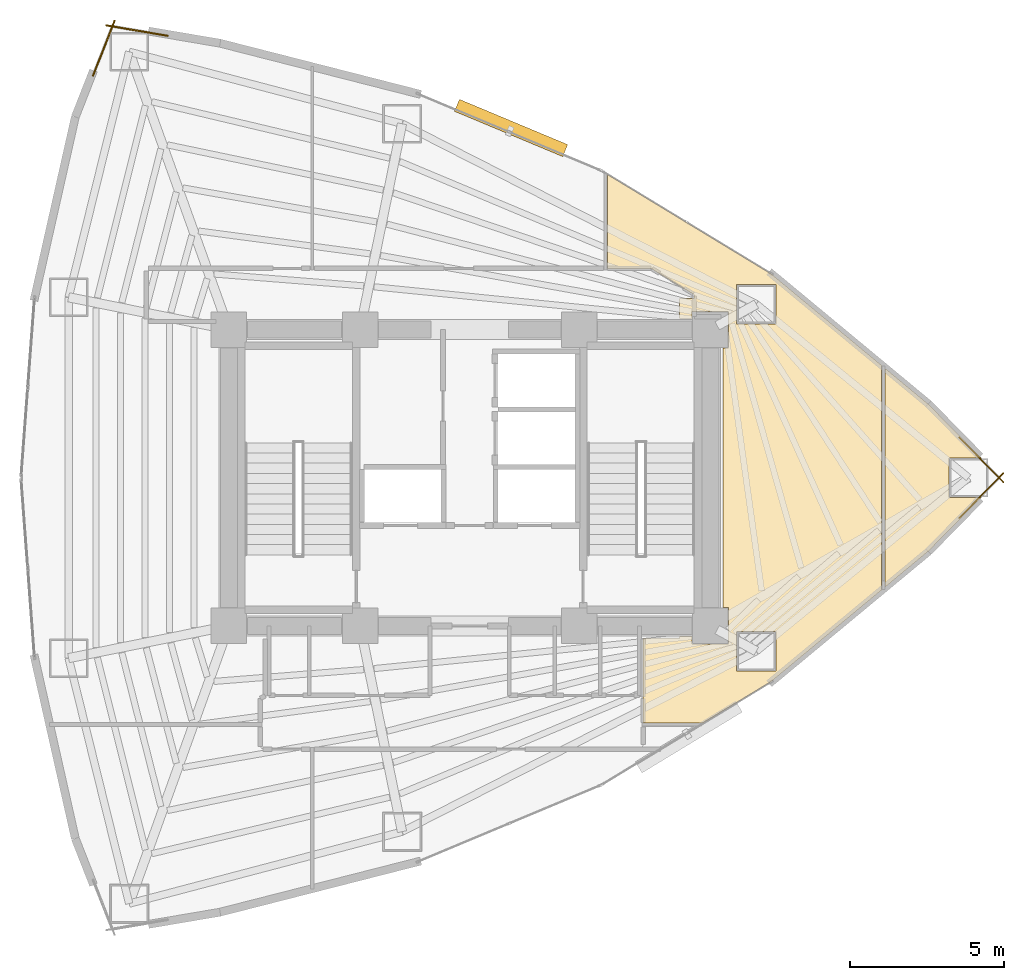
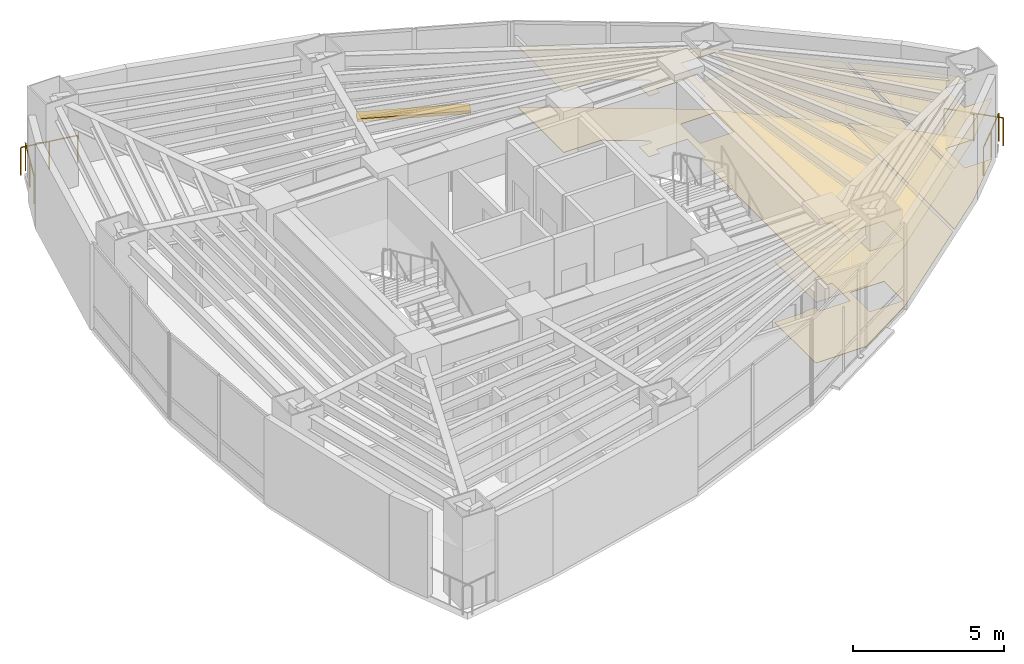
# One storey, part 18 of 18: 4 coverings, 4 railings, 1 shading device.
"""IFC4 building model written with IfcOpenShell, lengths in metres."""

from ifc_helpers import new_model, si_unit, direction, frame, origin, origin_2d, place, context, subcontext, project, spatial, polyline, rectangle, circle, outline, extrude, material, layer, layer_set, type_object, element, save


model = new_model("IFC4")

# Units and contexts
model_context = context("Model", 3, precision=1e-05, world=origin(), true_north=direction((0.0, 1.0)))
body_context = subcontext(model_context, "Body", "Model", "MODEL_VIEW")
ifc_project = project(units=[si_unit("LENGTHUNIT", "METRE"), si_unit("AREAUNIT", "SQUARE_METRE"), si_unit("VOLUMEUNIT", "CUBIC_METRE"), si_unit("PLANEANGLEUNIT", "RADIAN"), si_unit("MASSUNIT", "GRAM", prefix="KILO")], contexts=[model_context])

# Site, building, storey
site_placement = place(None, origin())
site = spatial("IfcSite", under=ifc_project, at=site_placement, CompositionType="ELEMENT")
building_placement = place(site_placement, origin())
building = spatial("IfcBuilding", under=site, at=building_placement, Name="Menara Vayukalpa", CompositionType="ELEMENT")
storey_placement = place(building_placement, frame((0.0, 0.0, 126.300048828125)))
storey = spatial("IfcBuildingStorey", under=building, at=storey_placement, Name="L31", CompositionType="ELEMENT", Elevation=126.300048828125)

# Coverings
ifc_material_1 = material(Name="Mineral Fibre Acoustic Ceiling Tile", Category="masonry")
ifc_layer_1 = layer(ifc_material_1, 0.02490234375)
ifc_layer_set_1 = layer_set([ifc_layer_1], Name="Mineral Fibre Acoustic Ceiling Tile")
covering_type_1 = type_object("IfcCoveringType", Name="COV-CLG1", PredefinedType="CEILING", material=ifc_layer_set_1)
covering_1_placement = place(storey_placement, frame((0.0, 0.0, 2.449951171875)))
element("IfcCovering", 1, at=covering_1_placement, inside=storey, type_object=covering_type_1, Name="L31 Technical Reference Library Acoustic Ceiling", PredefinedType="CEILING", context=body_context, shape_type="SweptSolid", body=[
    extrude(outline(polyline([(42.169677734375, 22.639892578125), (41.121826171875, 22.639892578125), (41.121826171875, 21.360107421875), (42.169677734375, 21.360107421875), (40.461181640625, 19.6201171875), (40.46044921875, 19.619384765625), (39.076416015625, 18.471435546875), (39.07568359375, 18.470947265625), (39.07470703125, 18.470458984375), (39.073974609375, 18.469970703125), (39.072998046875, 18.469482421875), (39.072021484375, 18.469482421875), (39.071044921875, 18.46923828125), (39.070068359375, 18.46923828125), (39.069091796875, 18.46923828125), (39.068115234375, 18.469482421875), (39.067138671875, 18.469482421875), (39.066162109375, 18.469970703125), (39.065185546875, 18.470458984375), (39.064453125, 18.470947265625), (39.063720703125, 18.471435546875), (39.06298828125, 18.47216796875), (39.062255859375, 18.472900390625), (39.061767578125, 18.4736328125), (39.061279296875, 18.474609375), (39.060791015625, 18.475341796875), (39.060302734375, 18.476318359375), (39.060302734375, 18.477294921875), (39.06005859375, 18.478271484375), (39.06005859375, 18.479248046875), (39.06005859375, 25.520751953125), (39.06005859375, 25.521728515625), (39.060302734375, 25.522705078125), (39.060302734375, 25.523681640625), (39.060791015625, 25.524658203125), (39.061279296875, 25.525390625), (39.061767578125, 25.5263671875), (39.062255859375, 25.527099609375), (39.06298828125, 25.52783203125), (39.063720703125, 25.528564453125), (39.064453125, 25.529052734375), (39.065185546875, 25.529541015625), (39.066162109375, 25.530029296875), (39.067138671875, 25.530517578125), (39.068115234375, 25.530517578125), (39.069091796875, 25.53076171875), (39.070068359375, 25.53076171875), (39.071044921875, 25.53076171875), (39.072021484375, 25.530517578125), (39.072998046875, 25.530517578125), (39.073974609375, 25.530029296875), (39.07470703125, 25.529541015625), (39.07568359375, 25.529052734375), (39.076416015625, 25.528564453125), (40.46044921875, 24.380615234375), (40.461181640625, 24.3798828125), (42.169677734375, 22.639892578125)])), origin(), (0.0, 0.0, 1.0), 0.02490234375),
])
covering_2_placement = place(storey_placement, frame((0.0, 0.0, 2.449951171875)))
element("IfcCovering", 2, at=covering_2_placement, inside=storey, type_object=covering_type_1, Name="L31 Visitor Reception Lounge Acoustic Ceiling", PredefinedType="CEILING", context=body_context, shape_type="SweptSolid", body=[
    extrude(outline(polyline([(32.81005859375, 16.85009765625), (32.81005859375, 16.610107421875), (33.989990234375, 16.610107421875), (33.989990234375, 17.7900390625), (33.81005859375, 17.7900390625), (33.81005859375, 26.2099609375), (33.989990234375, 26.2099609375), (33.989990234375, 27.389892578125), (32.81005859375, 27.389892578125), (32.81005859375, 27.14990234375), (32.389892578125, 27.14990234375), (32.389892578125, 27.81005859375), (32.8701171875, 27.81005859375), (32.8701171875, 27.89111328125), (32.86962890625, 27.8984375), (32.868408203125, 27.905517578125), (32.86669921875, 27.912353515625), (32.8642578125, 27.919189453125), (32.861083984375, 27.925537109375), (32.857177734375, 27.931640625), (32.852783203125, 27.937255859375), (32.847900390625, 27.9423828125), (32.84228515625, 27.947021484375), (32.836181640625, 27.951171875), (31.505126953125, 28.759765625), (31.49951171875, 28.762939453125), (31.49365234375, 28.765380859375), (31.487548828125, 28.767333984375), (31.481201171875, 28.768798828125), (31.47509765625, 28.769775390625), (31.468505859375, 28.77001953125), (30.070068359375, 28.77001953125), (30.069091796875, 28.77001953125), (30.068115234375, 28.770263671875), (30.067138671875, 28.7705078125), (30.066162109375, 28.770751953125), (30.065185546875, 28.771240234375), (30.064453125, 28.771728515625), (30.063720703125, 28.772216796875), (30.06298828125, 28.77294921875), (30.062255859375, 28.773681640625), (30.061767578125, 28.7744140625), (30.061279296875, 28.775390625), (30.060791015625, 28.776123046875), (30.060302734375, 28.777099609375), (30.060302734375, 28.778076171875), (30.06005859375, 28.779052734375), (30.06005859375, 28.780029296875), (30.06005859375, 31.807861328125), (30.06005859375, 31.808837890625), (30.060302734375, 31.809814453125), (30.060302734375, 31.810546875), (30.060791015625, 31.8115234375), (30.06103515625, 31.8125), (30.0615234375, 31.813232421875), (30.062255859375, 31.81396484375), (30.062744140625, 31.814697265625), (30.0634765625, 31.8154296875), (30.064208984375, 31.81591796875), (30.065185546875, 31.81640625), (30.06591796875, 31.81689453125), (30.06689453125, 31.8173828125), (30.06787109375, 31.817626953125), (30.068603515625, 31.817626953125), (30.069580078125, 31.81787109375), (30.070556640625, 31.81787109375), (30.071533203125, 31.817626953125), (30.072509765625, 31.8173828125), (30.073486328125, 31.817138671875), (30.07421875, 31.81689453125), (30.0751953125, 31.81640625), (35.379638671875, 28.593994140625), (35.380859375, 28.59326171875), (38.938720703125, 25.642822265625), (38.939208984375, 25.64208984375), (38.93994140625, 25.641357421875), (38.940673828125, 25.640380859375), (38.941162109375, 25.6396484375), (38.94140625, 25.638671875), (38.94189453125, 25.6376953125), (38.942138671875, 25.63671875), (38.942138671875, 25.6357421875), (38.942138671875, 25.634765625), (38.942138671875, 25.6337890625), (38.94189453125, 25.6328125), (38.941162109375, 25.629638671875), (38.940185546875, 25.623779296875), (38.93994140625, 25.61767578125), (38.93994140625, 18.38232421875), (38.940185546875, 18.376220703125), (38.941162109375, 18.370361328125), (38.94189453125, 18.3671875), (38.942138671875, 18.3662109375), (38.942138671875, 18.365234375), (38.942138671875, 18.3642578125), (38.942138671875, 18.36328125), (38.94189453125, 18.3623046875), (38.94140625, 18.361328125), (38.941162109375, 18.3603515625), (38.940673828125, 18.359619140625), (38.93994140625, 18.358642578125), (38.939208984375, 18.35791015625), (38.938720703125, 18.357177734375), (35.380859375, 15.40673828125), (35.379638671875, 15.406005859375), (33.1474609375, 14.050048828125), (33.146484375, 14.049560546875), (33.1455078125, 14.049072265625), (33.144775390625, 14.048828125), (33.143798828125, 14.048583984375), (33.142822265625, 14.048583984375), (33.141845703125, 14.048583984375), (33.140869140625, 14.048583984375), (33.139892578125, 14.048828125), (33.138916015625, 14.049072265625), (33.137939453125, 14.04931640625), (33.13720703125, 14.0498046875), (33.132080078125, 14.052978515625), (33.126708984375, 14.055419921875), (33.12109375, 14.057373046875), (33.115478515625, 14.058837890625), (33.109619140625, 14.059814453125), (33.103515625, 14.06005859375), (31.22998046875, 14.06005859375), (31.22900390625, 14.06005859375), (31.22802734375, 14.060302734375), (31.22705078125, 14.060302734375), (31.226318359375, 14.060791015625), (31.225341796875, 14.061279296875), (31.224365234375, 14.061767578125), (31.2236328125, 14.062255859375), (31.222900390625, 14.06298828125), (31.222412109375, 14.063720703125), (31.2216796875, 14.064453125), (31.22119140625, 14.065185546875), (31.220703125, 14.066162109375), (31.220458984375, 14.067138671875), (31.22021484375, 14.068115234375), (31.219970703125, 14.069091796875), (31.219970703125, 14.070068359375), (31.219970703125, 14.849609375), (31.219482421875, 14.856689453125), (31.21875, 14.86376953125), (31.217041015625, 14.870361328125), (31.214599609375, 14.876708984375), (31.2119140625, 14.8828125), (31.211669921875, 14.883056640625), (31.211181640625, 14.8837890625), (31.210693359375, 14.884765625), (31.21044921875, 14.8857421875), (31.210205078125, 14.88671875), (31.2099609375, 14.8876953125), (31.2099609375, 14.888671875), (31.2099609375, 16.780029296875), (31.2099609375, 16.781005859375), (31.210205078125, 16.781982421875), (31.21044921875, 16.782958984375), (31.210693359375, 16.78369140625), (31.211181640625, 16.78466796875), (31.211669921875, 16.78564453125), (31.21240234375, 16.786376953125), (31.212890625, 16.787109375), (31.213623046875, 16.78759765625), (31.21435546875, 16.788330078125), (31.21533203125, 16.788818359375), (31.21630859375, 16.789306640625), (31.217041015625, 16.78955078125), (31.218017578125, 16.789794921875), (31.218994140625, 16.7900390625), (31.219970703125, 16.7900390625), (32.389892578125, 16.7900390625), (32.389892578125, 16.85009765625), (32.81005859375, 16.85009765625)]), holes=[polyline([(35.52685546875, 17.018310546875), (34.246826171875, 17.018310546875), (34.246826171875, 15.73828125), (35.52685546875, 15.73828125), (35.52685546875, 17.018310546875)]), polyline([(35.52685546875, 26.981689453125), (35.52685546875, 28.26171875), (34.246826171875, 28.26171875), (34.246826171875, 26.981689453125), (35.52685546875, 26.981689453125)])]), origin(), (0.0, 0.0, 1.0), 0.02490234375),
])
ifc_material_2 = material(Name="Porcelain Stoneware Floor Tile", Category="masonry")
ifc_layer_2 = layer(ifc_material_2, 0.02001953125)
ifc_layer_set_2 = layer_set([ifc_layer_2], Name="Porcelain Stoneware Floor Tile")
covering_type_2 = type_object("IfcCoveringType", Name="COV-FLR1", PredefinedType="FLOORING", material=ifc_layer_set_2)
covering_3_placement = place(storey_placement, origin())
element("IfcCovering", 3, at=covering_3_placement, inside=storey, type_object=covering_type_2, Name="L31 Technical Reference Library Porcelain Flooring", PredefinedType="FLOORING", context=body_context, shape_type="SweptSolid", body=[
    extrude(outline(polyline([(42.169677734375, 22.639892578125), (41.121826171875, 22.639892578125), (41.121826171875, 21.360107421875), (42.169677734375, 21.360107421875), (40.461181640625, 19.6201171875), (40.46044921875, 19.619384765625), (39.076416015625, 18.471435546875), (39.07568359375, 18.470947265625), (39.07470703125, 18.470458984375), (39.073974609375, 18.469970703125), (39.072998046875, 18.469482421875), (39.072021484375, 18.469482421875), (39.071044921875, 18.46923828125), (39.070068359375, 18.46923828125), (39.069091796875, 18.46923828125), (39.068115234375, 18.469482421875), (39.067138671875, 18.469482421875), (39.066162109375, 18.469970703125), (39.065185546875, 18.470458984375), (39.064453125, 18.470947265625), (39.063720703125, 18.471435546875), (39.06298828125, 18.47216796875), (39.062255859375, 18.472900390625), (39.061767578125, 18.4736328125), (39.061279296875, 18.474609375), (39.060791015625, 18.475341796875), (39.060302734375, 18.476318359375), (39.060302734375, 18.477294921875), (39.06005859375, 18.478271484375), (39.06005859375, 18.479248046875), (39.06005859375, 25.520751953125), (39.06005859375, 25.521728515625), (39.060302734375, 25.522705078125), (39.060302734375, 25.523681640625), (39.060791015625, 25.524658203125), (39.061279296875, 25.525390625), (39.061767578125, 25.5263671875), (39.062255859375, 25.527099609375), (39.06298828125, 25.52783203125), (39.063720703125, 25.528564453125), (39.064453125, 25.529052734375), (39.065185546875, 25.529541015625), (39.066162109375, 25.530029296875), (39.067138671875, 25.530517578125), (39.068115234375, 25.530517578125), (39.069091796875, 25.53076171875), (39.070068359375, 25.53076171875), (39.071044921875, 25.53076171875), (39.072021484375, 25.530517578125), (39.072998046875, 25.530517578125), (39.073974609375, 25.530029296875), (39.07470703125, 25.529541015625), (39.07568359375, 25.529052734375), (39.076416015625, 25.528564453125), (40.46044921875, 24.380615234375), (40.461181640625, 24.3798828125), (42.169677734375, 22.639892578125)])), origin(), (0.0, 0.0, 1.0), 0.02001953125),
])
covering_4_placement = place(storey_placement, origin())
element("IfcCovering", 4, at=covering_4_placement, inside=storey, type_object=covering_type_2, Name="L31 Visitor Reception Lounge Porcelain Flooring", PredefinedType="FLOORING", context=body_context, shape_type="SweptSolid", body=[
    extrude(outline(polyline([(32.81005859375, 16.85009765625), (32.81005859375, 16.610107421875), (33.989990234375, 16.610107421875), (33.989990234375, 17.7900390625), (33.81005859375, 17.7900390625), (33.81005859375, 26.2099609375), (33.989990234375, 26.2099609375), (33.989990234375, 27.389892578125), (32.81005859375, 27.389892578125), (32.81005859375, 27.14990234375), (32.389892578125, 27.14990234375), (32.389892578125, 27.81005859375), (32.8701171875, 27.81005859375), (32.8701171875, 27.89111328125), (32.86962890625, 27.8984375), (32.868408203125, 27.905517578125), (32.86669921875, 27.912353515625), (32.8642578125, 27.919189453125), (32.861083984375, 27.925537109375), (32.857177734375, 27.931640625), (32.852783203125, 27.937255859375), (32.847900390625, 27.9423828125), (32.84228515625, 27.947021484375), (32.836181640625, 27.951171875), (31.505126953125, 28.759765625), (31.49951171875, 28.762939453125), (31.49365234375, 28.765380859375), (31.487548828125, 28.767333984375), (31.481201171875, 28.768798828125), (31.47509765625, 28.769775390625), (31.468505859375, 28.77001953125), (30.070068359375, 28.77001953125), (30.069091796875, 28.77001953125), (30.068115234375, 28.770263671875), (30.067138671875, 28.7705078125), (30.066162109375, 28.770751953125), (30.065185546875, 28.771240234375), (30.064453125, 28.771728515625), (30.063720703125, 28.772216796875), (30.06298828125, 28.77294921875), (30.062255859375, 28.773681640625), (30.061767578125, 28.7744140625), (30.061279296875, 28.775390625), (30.060791015625, 28.776123046875), (30.060302734375, 28.777099609375), (30.060302734375, 28.778076171875), (30.06005859375, 28.779052734375), (30.06005859375, 28.780029296875), (30.06005859375, 31.807861328125), (30.06005859375, 31.808837890625), (30.060302734375, 31.809814453125), (30.060302734375, 31.810546875), (30.060791015625, 31.8115234375), (30.06103515625, 31.8125), (30.0615234375, 31.813232421875), (30.062255859375, 31.81396484375), (30.062744140625, 31.814697265625), (30.0634765625, 31.8154296875), (30.064208984375, 31.81591796875), (30.065185546875, 31.81640625), (30.06591796875, 31.81689453125), (30.06689453125, 31.8173828125), (30.06787109375, 31.817626953125), (30.068603515625, 31.817626953125), (30.069580078125, 31.81787109375), (30.070556640625, 31.81787109375), (30.071533203125, 31.817626953125), (30.072509765625, 31.8173828125), (30.073486328125, 31.817138671875), (30.07421875, 31.81689453125), (30.0751953125, 31.81640625), (35.379638671875, 28.593994140625), (35.380859375, 28.59326171875), (38.938720703125, 25.642822265625), (38.939208984375, 25.64208984375), (38.93994140625, 25.641357421875), (38.940673828125, 25.640380859375), (38.941162109375, 25.6396484375), (38.94140625, 25.638671875), (38.94189453125, 25.6376953125), (38.942138671875, 25.63671875), (38.942138671875, 25.6357421875), (38.942138671875, 25.634765625), (38.942138671875, 25.6337890625), (38.94189453125, 25.6328125), (38.941162109375, 25.629638671875), (38.940185546875, 25.623779296875), (38.93994140625, 25.61767578125), (38.93994140625, 18.38232421875), (38.940185546875, 18.376220703125), (38.941162109375, 18.370361328125), (38.94189453125, 18.3671875), (38.942138671875, 18.3662109375), (38.942138671875, 18.365234375), (38.942138671875, 18.3642578125), (38.942138671875, 18.36328125), (38.94189453125, 18.3623046875), (38.94140625, 18.361328125), (38.941162109375, 18.3603515625), (38.940673828125, 18.359619140625), (38.93994140625, 18.358642578125), (38.939208984375, 18.35791015625), (38.938720703125, 18.357177734375), (35.380859375, 15.40673828125), (35.379638671875, 15.406005859375), (33.1474609375, 14.050048828125), (33.146484375, 14.049560546875), (33.1455078125, 14.049072265625), (33.144775390625, 14.048828125), (33.143798828125, 14.048583984375), (33.142822265625, 14.048583984375), (33.141845703125, 14.048583984375), (33.140869140625, 14.048583984375), (33.139892578125, 14.048828125), (33.138916015625, 14.049072265625), (33.137939453125, 14.04931640625), (33.13720703125, 14.0498046875), (33.132080078125, 14.052978515625), (33.126708984375, 14.055419921875), (33.12109375, 14.057373046875), (33.115478515625, 14.058837890625), (33.109619140625, 14.059814453125), (33.103515625, 14.06005859375), (31.22998046875, 14.06005859375), (31.22900390625, 14.06005859375), (31.22802734375, 14.060302734375), (31.22705078125, 14.060302734375), (31.226318359375, 14.060791015625), (31.225341796875, 14.061279296875), (31.224365234375, 14.061767578125), (31.2236328125, 14.062255859375), (31.222900390625, 14.06298828125), (31.222412109375, 14.063720703125), (31.2216796875, 14.064453125), (31.22119140625, 14.065185546875), (31.220703125, 14.066162109375), (31.220458984375, 14.067138671875), (31.22021484375, 14.068115234375), (31.219970703125, 14.069091796875), (31.219970703125, 14.070068359375), (31.219970703125, 14.849609375), (31.219482421875, 14.856689453125), (31.21875, 14.86376953125), (31.217041015625, 14.870361328125), (31.214599609375, 14.876708984375), (31.2119140625, 14.8828125), (31.211669921875, 14.883056640625), (31.211181640625, 14.8837890625), (31.210693359375, 14.884765625), (31.21044921875, 14.8857421875), (31.210205078125, 14.88671875), (31.2099609375, 14.8876953125), (31.2099609375, 14.888671875), (31.2099609375, 16.780029296875), (31.2099609375, 16.781005859375), (31.210205078125, 16.781982421875), (31.21044921875, 16.782958984375), (31.210693359375, 16.78369140625), (31.211181640625, 16.78466796875), (31.211669921875, 16.78564453125), (31.21240234375, 16.786376953125), (31.212890625, 16.787109375), (31.213623046875, 16.78759765625), (31.21435546875, 16.788330078125), (31.21533203125, 16.788818359375), (31.21630859375, 16.789306640625), (31.217041015625, 16.78955078125), (31.218017578125, 16.789794921875), (31.218994140625, 16.7900390625), (31.219970703125, 16.7900390625), (32.389892578125, 16.7900390625), (32.389892578125, 16.85009765625), (32.81005859375, 16.85009765625)]), holes=[polyline([(35.52685546875, 17.018310546875), (34.246826171875, 17.018310546875), (34.246826171875, 15.73828125), (35.52685546875, 15.73828125), (35.52685546875, 17.018310546875)]), polyline([(35.52685546875, 26.981689453125), (35.52685546875, 28.26171875), (34.246826171875, 28.26171875), (34.246826171875, 26.981689453125), (35.52685546875, 26.981689453125)])]), origin(), (0.0, 0.0, 1.0), 0.02001953125),
])

# Railings
ifc_material_3 = material(Name="Laminated Glass and Stainless Steel 316 Guardrail", Category="steel")
railing_type = type_object("IfcRailingType", Name="RLG-EXT115", PredefinedType="GUARDRAIL", material=ifc_material_3)
railing_1_placement = place(storey_placement, frame((41.458740234375, 20.693115234375, 0.0)))
element("IfcRailing", 5, at=railing_1_placement, inside=storey, type_object=railing_type, Name="L31 Column Corner Spandrel Guardrail 01-1", PredefinedType="GUARDRAIL", context=body_context, shape_type="SweptSolid", body=[
    extrude(circle(Radius=0.02392578125, at=origin_2d()), frame((0.0, 0.0, 1.1259765625), z_axis=(0.700555740742, 0.713597683652, 0.0), x_axis=(-0.713597683652, 0.700555740742, 0.0)), (0.0, 0.0, 1.0), 2.04052734375),
    extrude(circle(Radius=0.02099609375, at=origin_2d()), origin(), (0.0, 0.0, 1.0), 1.101806640625),
    extrude(circle(Radius=0.02099609375, at=origin_2d()), frame((0.71484375, 0.72802734375, 0.0)), (0.0, 0.0, 1.0), 1.101806640625),
    extrude(circle(Radius=0.02099609375, at=origin_2d()), frame((1.429443359375, 1.4560546875, 0.0)), (0.0, 0.0, 1.0), 1.101806640625),
])
railing_2_placement = place(storey_placement, frame((42.88818359375, 21.850830078125, 0.0)))
element("IfcRailing", 6, at=railing_2_placement, inside=storey, type_object=railing_type, Name="L31 Column Corner Spandrel Guardrail 02-1", PredefinedType="GUARDRAIL", context=body_context, shape_type="SweptSolid", body=[
    extrude(circle(Radius=0.02392578125, at=origin_2d()), frame((0.0, 0.0, 1.1259765625), z_axis=(-0.700555740742, 0.713597683652, 0.0), x_axis=(-0.713597683652, -0.700555740742, 0.0)), (0.0, 0.0, 1.0), 2.04052734375),
    extrude(circle(Radius=0.02099609375, at=origin_2d()), origin(), (0.0, 0.0, 1.0), 1.101806640625),
    extrude(circle(Radius=0.02099609375, at=origin_2d()), frame((-0.71484375, 0.72802734375, 0.0)), (0.0, 0.0, 1.0), 1.101806640625),
    extrude(circle(Radius=0.02099609375, at=origin_2d()), frame((-1.429443359375, 1.4560546875, 0.0)), (0.0, 0.0, 1.0), 1.101806640625),
])
railing_3_placement = place(storey_placement, frame((15.818359375, 36.315673828125, 0.0)))
element("IfcRailing", 7, at=railing_3_placement, inside=storey, type_object=railing_type, Name="L31 Column Corner Spandrel Guardrail 07-1", PredefinedType="GUARDRAIL", context=body_context, shape_type="SweptSolid", body=[
    extrude(circle(Radius=0.02392578125, at=origin_2d()), frame((0.0, 0.0, 1.1259765625), z_axis=(-0.985895977605, 0.16735925831, 0.0), x_axis=(-0.16735925831, -0.985895977605, 0.0)), (0.0, 0.0, 1.0), 2.01904296875),
    extrude(circle(Radius=0.02099609375, at=origin_2d()), origin(), (0.0, 0.0, 1.0), 1.101806640625),
    extrude(circle(Radius=0.02099609375, at=origin_2d()), frame((-0.9951171875, 0.1689453125, 0.0)), (0.0, 0.0, 1.0), 1.101806640625),
    extrude(circle(Radius=0.02099609375, at=origin_2d()), frame((-1.990478515625, 0.337890625, 0.0)), (0.0, 0.0, 1.0), 1.101806640625),
])
railing_4_placement = place(storey_placement, frame((14.09912109375, 36.806640625, 0.0)))
element("IfcRailing", 8, at=railing_4_placement, inside=storey, type_object=railing_type, Name="L31 Column Corner Spandrel Guardrail 08-1", PredefinedType="GUARDRAIL", context=body_context, shape_type="SweptSolid", body=[
    extrude(circle(Radius=0.02392578125, at=origin_2d()), frame((0.0, 0.0, 1.1259765625), z_axis=(-0.365573386764, -0.930782519652, 0.0), x_axis=(0.930782519652, -0.365573386764, 0.0)), (0.0, 0.0, 1.0), 1.91259765625),
    extrude(circle(Radius=0.02099609375, at=origin_2d()), origin(), (0.0, 0.0, 1.0), 1.101806640625),
    extrude(circle(Radius=0.02099609375, at=origin_2d()), frame((-0.349609375, -0.89013671875, 0.0)), (0.0, 0.0, 1.0), 1.101806640625),
    extrude(circle(Radius=0.02099609375, at=origin_2d()), frame((-0.69921875, -1.7802734375, 0.0)), (0.0, 0.0, 1.0), 1.101806640625),
])

# Shading device
ifc_material_4 = material(Name="Glazed Terracotta Ceramic Baguette Extrusion", Category="masonry")
ifc_layer_3 = layer(ifc_material_4, 0.1201171875)
ifc_layer_set_3 = layer_set([ifc_layer_3], Name="Glazed Terracotta Ceramic Baguette Extrusion")
shading_device_type = type_object("IfcShadingDeviceType", Name="SHD-SS1", PredefinedType="USERDEFINED", material=ifc_layer_set_3)
shading_device_placement = place(storey_placement, frame((26.940673828125, 33.33056640625, -0.10009765625), z_axis=(0.0, 0.0, 1.0), x_axis=(-0.922544824647, 0.385889940938, 0.0)))
element("IfcShadingDevice", 9, at=shading_device_placement, inside=storey, type_object=shading_device_type, Name="L31 Horizontal Terracotta Sunshade Band 05", ObjectType="SUNSHADE", PredefinedType="USERDEFINED", context=body_context, shape_type="SweptSolid", body=[
    extrude(rectangle(XDim=3.800048828125, YDim=0.419921875, at=origin_2d()), origin(), (0.0, 0.0, 1.0), 0.1201171875),
])

save(model, "model.ifc")
